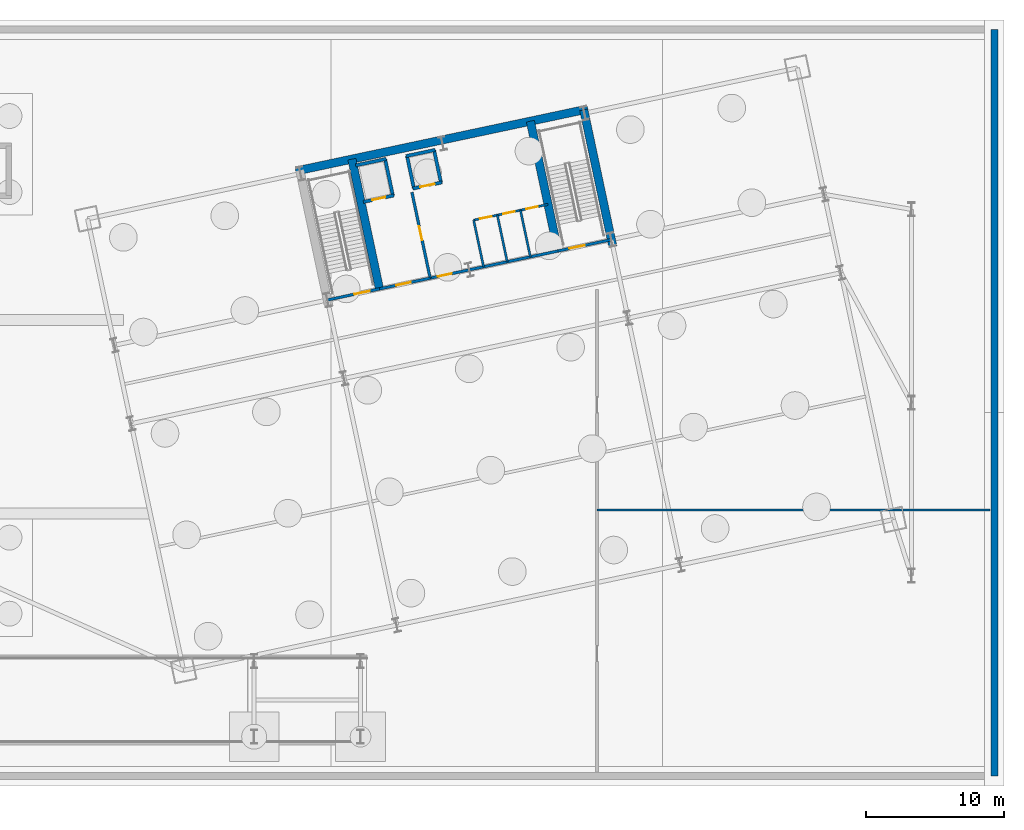
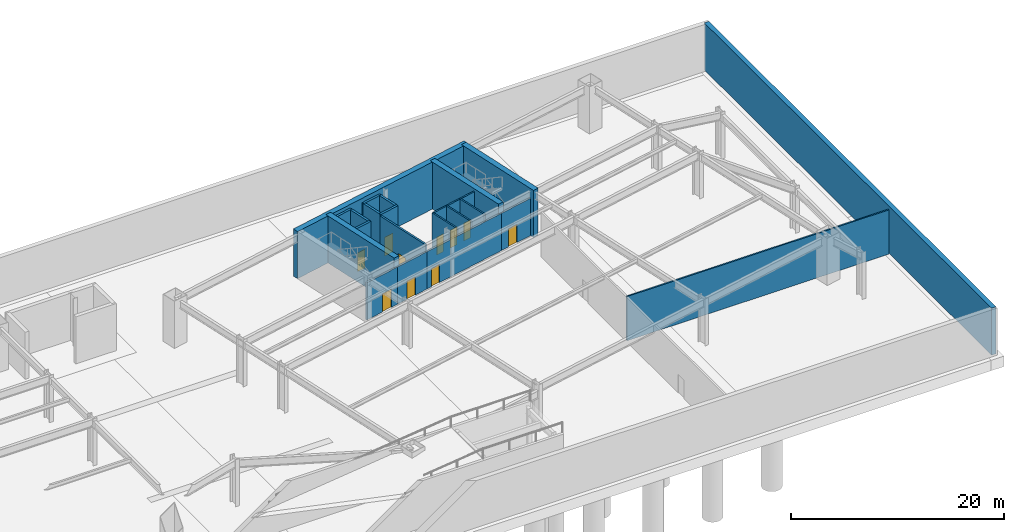
# One storey, part 10 of 15: 22 walls, 10 doors, 10 openings.
"""IFC4 building model written with IfcOpenShell, lengths in metres."""

from ifc_helpers import new_model, si_unit, direction, frame, frame_2d, origin, place, context, subcontext, project, spatial, rectangle, extrude, material, layer, layer_set, type_object, element, fill, save


model = new_model("IFC4")

# Units and contexts
model_context = context("Model", 3, precision=1e-05, world=origin(), true_north=direction((0.0, 1.0)))
body_context = subcontext(model_context, "Body", "Model", "MODEL_VIEW")
ifc_project = project(units=[si_unit("LENGTHUNIT", "METRE"), si_unit("AREAUNIT", "SQUARE_METRE"), si_unit("VOLUMEUNIT", "CUBIC_METRE"), si_unit("PLANEANGLEUNIT", "RADIAN"), si_unit("MASSUNIT", "GRAM", prefix="KILO")], contexts=[model_context])

# Site, building, storey
site_placement = place(None, origin())
site = spatial("IfcSite", under=ifc_project, at=site_placement, CompositionType="ELEMENT")
building_placement = place(site_placement, origin())
building = spatial("IfcBuilding", under=site, at=building_placement, Name="Haevon Station Towers", CompositionType="ELEMENT")
storey_placement = place(building_placement, frame((0.0, 0.0, -10.800048828125)))
storey = spatial("IfcBuildingStorey", under=building, at=storey_placement, Name="B02", CompositionType="ELEMENT", Elevation=-10.800048828125)

# Wall, opening, door
ifc_material_1 = material(Name="Gypsum board on steel stud", Category="steel")
ifc_layer_1 = layer(ifc_material_1, 0.199951171875)
ifc_layer_set_1 = layer_set([ifc_layer_1], Name="Gypsum board on steel stud")
wall_type_1 = type_object("IfcWallType", Name="WL-COR200", PredefinedType="PARTITIONING", material=ifc_layer_set_1)
wall_1_placement = place(storey_placement, frame((98.75244140625, 37.4423828125, 0.0), z_axis=(0.0, 0.0, 1.0), x_axis=(0.978143537786, 0.207930804564, 0.0)))
wall_1 = element("IfcWall", 1, at=wall_1_placement, inside=storey, type_object=wall_type_1, Name="WL-ST-ST3-B02", PredefinedType="PARTITIONING", context=body_context, shape_type="SweptSolid", body=[
    extrude(rectangle(XDim=3.85009765625, YDim=0.199951171875, at=frame_2d((1.925048828125, 0.0))), origin(), (0.0, 0.0, 1.0), 4.280029296875),
])
opening_1_placement = place(wall_1_placement, frame((2.0, 0.0, 0.0)))
opening_1 = element("IfcOpeningElement", 2, at=opening_1_placement, cuts=wall_1, Name="Opening DR-ST-ST3-B02", PredefinedType="OPENING", context=body_context, shape_type="SweptSolid", body=[
    extrude(rectangle(XDim=1.1201171875, YDim=2.10009765625, at=frame_2d((0.56005859375, 1.050048828125))), frame((0.0, 0.10986328125, 0.0), z_axis=(0.0, -1.0, 0.0), x_axis=(1.0, 0.0, 0.0)), (0.0, 0.0, 1.0), 0.219970703125),
])
ifc_material_2 = material(Name="Engineered oak timber", Category="wood")
door_type_1 = type_object("IfcDoorType", Name="DR-ST-1120", OperationType="NOTDEFINED", PredefinedType="DOOR", material=ifc_material_2)
door_1_placement = place(opening_1_placement, origin())
door_1 = element("IfcDoor", 3, at=door_1_placement, inside=storey, type_object=door_type_1, Name="B02 Escape Stair ST3 Fire Door", OperationType="SINGLE_SWING_LEFT", OverallHeight=2.10009765625, OverallWidth=1.1201171875, PredefinedType="DOOR", context=body_context, shape_type="SweptSolid", body=[
    extrude(rectangle(XDim=1.1201171875, YDim=2.10009765625, at=frame_2d((0.56005859375, 1.050048828125))), frame((0.0, 0.02490234375, 0.0), z_axis=(0.0, -1.0, 0.0), x_axis=(1.0, 0.0, 0.0)), (0.0, 0.0, 1.0), 0.050048828125),
])
fill(opening_1, door_1)

wall_2_placement = place(storey_placement, frame((115.4296875, 40.9873046875, 0.0), z_axis=(0.0, 0.0, 1.0), x_axis=(0.978146596989, 0.207916413008, 0.0)))
wall_2 = element("IfcWall", 4, at=wall_2_placement, inside=storey, type_object=wall_type_1, Name="WL-ST-ST4-B02", PredefinedType="PARTITIONING", context=body_context, shape_type="SweptSolid", body=[
    extrude(rectangle(XDim=3.9501953125, YDim=0.199951171875, at=frame_2d((1.97509765625, 0.0))), origin(), (0.0, 0.0, 1.0), 4.280029296875),
])
opening_2_placement = place(wall_2_placement, frame((0.85009765625, 0.0, 0.0)))
opening_2 = element("IfcOpeningElement", 5, at=opening_2_placement, cuts=wall_2, Name="Opening DR-ST-ST4-B02", PredefinedType="OPENING", context=body_context, shape_type="SweptSolid", body=[
    extrude(rectangle(XDim=1.1201171875, YDim=2.10009765625, at=frame_2d((0.56005859375, 1.050048828125))), frame((0.0, 0.10986328125, 0.0), z_axis=(0.0, -1.0, 0.0), x_axis=(1.0, 0.0, 0.0)), (0.0, 0.0, 1.0), 0.219970703125),
])
door_2_placement = place(opening_2_placement, origin())
door_2 = element("IfcDoor", 6, at=door_2_placement, inside=storey, type_object=door_type_1, Name="B02 Escape Stair ST4 Fire Door", OperationType="SINGLE_SWING_RIGHT", OverallHeight=2.10009765625, OverallWidth=1.1201171875, PredefinedType="DOOR", context=body_context, shape_type="SweptSolid", body=[
    extrude(rectangle(XDim=1.1201171875, YDim=2.10009765625, at=frame_2d((0.56005859375, 1.050048828125))), frame((0.0, 0.02490234375, 0.0), z_axis=(0.0, -1.0, 0.0), x_axis=(1.0, 0.0, 0.0)), (0.0, 0.0, 1.0), 0.050048828125),
])
fill(opening_2, door_2)

wall_3_placement = place(storey_placement, frame((106.186279296875, 39.0224609375, 0.0), z_axis=(0.0, 0.0, 1.0), x_axis=(-0.207916691923, 0.978146537703, 0.0)))
wall_3 = element("IfcWall", 7, at=wall_3_placement, inside=storey, type_object=wall_type_1, Name="WL-T2FFL-B02-E", PredefinedType="PARTITIONING", context=body_context, shape_type="SweptSolid", body=[
    extrude(rectangle(XDim=6.35009765625, YDim=0.199951171875, at=frame_2d((3.175048828125, 0.0))), origin(), (0.0, 0.0, 1.0), 5.080078125),
])
opening_3_placement = place(wall_3_placement, frame((2.800048828125, 0.0, 0.0)))
opening_3 = element("IfcOpeningElement", 8, at=opening_3_placement, cuts=wall_3, Name="Opening DR-T2FFL-B02-E", PredefinedType="OPENING", context=body_context, shape_type="SweptSolid", body=[
    extrude(rectangle(XDim=1.050048828125, YDim=2.10009765625, at=frame_2d((0.52490234375, 1.050048828125))), frame((0.0, 0.10986328125, 0.0), z_axis=(0.0, -1.0, 0.0), x_axis=(1.0, 0.0, 0.0)), (0.0, 0.0, 1.0), 0.219970703125),
])
door_type_2 = type_object("IfcDoorType", Name="DR-FD60-1050", OperationType="NOTDEFINED", PredefinedType="DOOR", material=ifc_material_2)
door_3_placement = place(opening_3_placement, origin())
door_3 = element("IfcDoor", 9, at=door_3_placement, inside=storey, type_object=door_type_2, Name="B02 Tower 2 Firefighting Lift Lobby Door E", OperationType="SINGLE_SWING_LEFT", OverallHeight=2.10009765625, OverallWidth=1.050048828125, PredefinedType="DOOR", context=body_context, shape_type="SweptSolid", body=[
    extrude(rectangle(XDim=1.050048828125, YDim=2.10009765625, at=frame_2d((0.52490234375, 1.050048828125))), frame((0.0, 0.02490234375, 0.0), z_axis=(0.0, -1.0, 0.0), x_axis=(1.0, 0.0, 0.0)), (0.0, 0.0, 1.0), 0.050048828125),
])
fill(opening_3, door_3)

wall_4_placement = place(storey_placement, frame((102.518310546875, 38.242919921875, 0.0), z_axis=(0.0, 0.0, 1.0), x_axis=(0.978153555683, 0.20788367301, 0.0)))
wall_4 = element("IfcWall", 10, at=wall_4_placement, inside=storey, type_object=wall_type_1, Name="WL-T2FFL-B02-S", PredefinedType="PARTITIONING", context=body_context, shape_type="SweptSolid", body=[
    extrude(rectangle(XDim=3.75, YDim=0.199951171875, at=frame_2d((1.875, 0.0))), origin(), (0.0, 0.0, 1.0), 4.280029296875),
])
opening_4_placement = place(wall_4_placement, frame((1.25, 0.0, 0.0)))
opening_4 = element("IfcOpeningElement", 11, at=opening_4_placement, cuts=wall_4, Name="Opening DR-T2FFL-B02-S", PredefinedType="OPENING", context=body_context, shape_type="SweptSolid", body=[
    extrude(rectangle(XDim=1.050048828125, YDim=2.10009765625, at=frame_2d((0.52490234375, 1.050048828125))), frame((0.0, 0.10986328125, 0.0), z_axis=(0.0, -1.0, 0.0), x_axis=(1.0, 0.0, 0.0)), (0.0, 0.0, 1.0), 0.219970703125),
])
door_4_placement = place(opening_4_placement, origin())
door_4 = element("IfcDoor", 12, at=door_4_placement, inside=storey, type_object=door_type_2, Name="B02 Tower 2 Firefighting Lift Lobby Door S", OperationType="SINGLE_SWING_RIGHT", OverallHeight=2.10009765625, OverallWidth=1.050048828125, PredefinedType="DOOR", context=body_context, shape_type="SweptSolid", body=[
    extrude(rectangle(XDim=1.050048828125, YDim=2.10009765625, at=frame_2d((0.52490234375, 1.050048828125))), frame((0.0, 0.02490234375, 0.0), z_axis=(0.0, -1.0, 0.0), x_axis=(1.0, 0.0, 0.0)), (0.0, 0.0, 1.0), 0.050048828125),
])
fill(opening_4, door_4)

wall_5_placement = place(storey_placement, frame((106.186279296875, 39.0224609375, 0.0), z_axis=(0.0, 0.0, 1.0), x_axis=(0.978145519981, 0.20792147975, 0.0)))
wall_5 = element("IfcWall", 13, at=wall_5_placement, inside=storey, type_object=wall_type_1, Name="WL-T2CLB-B02", PredefinedType="PARTITIONING", context=body_context, shape_type="SweptSolid", body=[
    extrude(rectangle(XDim=9.449951171875, YDim=0.199951171875, at=frame_2d((4.72509765625, 0.0))), origin(), (0.0, 0.0, 1.0), 4.280029296875),
])
opening_5_placement = place(wall_5_placement, frame((0.550048828125, 0.0, 0.0)))
opening_5 = element("IfcOpeningElement", 14, at=opening_5_placement, cuts=wall_5, Name="Opening DR-T2CLB-B02-1", PredefinedType="OPENING", context=body_context, shape_type="SweptSolid", body=[
    extrude(rectangle(XDim=1.050048828125, YDim=2.10009765625, at=frame_2d((0.52490234375, 1.050048828125))), frame((0.0, 0.10986328125, 0.0), z_axis=(0.0, -1.0, 0.0), x_axis=(1.0, 0.0, 0.0)), (0.0, 0.0, 1.0), 0.219970703125),
])
door_5_placement = place(opening_5_placement, origin())
door_5 = element("IfcDoor", 15, at=door_5_placement, inside=storey, type_object=door_type_2, Name="B02 Tower 2 Core Lift Lobby Door 1", OperationType="SINGLE_SWING_LEFT", OverallHeight=2.10009765625, OverallWidth=1.050048828125, PredefinedType="DOOR", context=body_context, shape_type="SweptSolid", body=[
    extrude(rectangle(XDim=1.050048828125, YDim=2.10009765625, at=frame_2d((0.52490234375, 1.050048828125))), frame((0.0, 0.02490234375, 0.0), z_axis=(0.0, -1.0, 0.0), x_axis=(1.0, 0.0, 0.0)), (0.0, 0.0, 1.0), 0.050048828125),
])
fill(opening_5, door_5)

# Walls
ifc_material_3 = material(Name="Concrete C60/75", Category="concrete")
ifc_layer_2 = layer(ifc_material_3, 0.60009765625)
ifc_layer_set_2 = layer_set([ifc_layer_2], Name="Concrete C60/75")
wall_type_2 = type_object("IfcWallType", Name="WL-CR600", PredefinedType="SHEAR", material=ifc_layer_set_2)
wall_6_placement = place(storey_placement, frame((96.462890625, 46.770263671875, 0.0), z_axis=(0.0, 0.0, 1.0), x_axis=(0.978147272959, 0.207913232873, 0.0)))
element("IfcWall", 16, at=wall_6_placement, inside=storey, type_object=wall_type_2, Name="WL-T2CR-B02-N", PredefinedType="SHEAR", context=body_context, shape_type="SweptSolid", body=[
    extrude(rectangle(XDim=21.60009765625, YDim=0.60009765625, at=frame_2d((10.800048828125, 0.0))), origin(), (0.0, 0.0, 1.0), 5.400146484375),
])
wall_7_placement = place(storey_placement, frame((119.401611328125, 41.2998046875, 0.0), z_axis=(0.0, 0.0, 1.0), x_axis=(-0.207904342798, 0.978149162575, 0.0)))
element("IfcWall", 17, at=wall_7_placement, inside=storey, type_object=wall_type_2, Name="WL-T2CR-B02-E", PredefinedType="SHEAR", context=body_context, shape_type="SweptSolid", body=[
    extrude(rectangle(XDim=10.1201171875, YDim=0.60009765625, at=frame_2d((5.06005859375, 0.0))), origin(), (0.0, 0.0, 1.0), 5.400146484375),
])
for number, where, z_axis, x_axis, name in (
    (18, (102.518310546875, 38.242919921875, 0.0), (0.0, 0.0, 1.0), (-0.207927495108, 0.978144241295, 0.0), "WL-T2CR-B02-M1"),
    (19, (115.4296875, 40.9873046875, 0.0), (0.0, 0.0, 1.0), (-0.207903162969, 0.978149413345, 0.0), "WL-T2CR-B02-M2"),
):
    element("IfcWall", number, at=place(storey_placement, frame(where, z_axis=z_axis, x_axis=x_axis)), inside=storey, type_object=wall_type_2, Name=name, PredefinedType="SHEAR", context=body_context, shape_type="SweptSolid", body=[
        extrude(rectangle(XDim=9.599853515625, YDim=0.60009765625, at=frame_2d((4.7998046875, 0.0))), origin(), (0.0, 0.0, 1.0), 5.400146484375),
    ])
ifc_layer_3 = layer(ifc_material_1, 0.159912109375)
ifc_layer_set_3 = layer_set([ifc_layer_3], Name="Gypsum board on steel stud")
wall_type_3 = type_object("IfcWallType", Name="WL-PRT160", PredefinedType="PARTITIONING", material=ifc_layer_set_3)
wall_8_placement = place(storey_placement, frame((118.25, 22.25, 0.0), z_axis=(0.0, 0.0, 1.0), x_axis=(1.0, 0.0, 0.0)))
element("IfcWall", 20, at=wall_8_placement, inside=storey, type_object=wall_type_3, Name="WL-B02-PLT2", PredefinedType="PARTITIONING", context=body_context, shape_type="SweptSolid", body=[
    extrude(rectangle(XDim=28.449951171875, YDim=0.159912109375, at=frame_2d((14.22509765625, 0.0))), origin(), (0.0, 0.0, 1.0), 5.080078125),
])
for number, where, z_axis, x_axis, name in (
    (21, (110.050048828125, 39.84375, 0.0), (0.0, 0.0, 1.0), (-0.207900225061, 0.978150037785, 0.0), "WL-T2CW-B02-01"),
    (22, (111.76171875, 40.20751953125, 0.0), (0.0, 0.0, 1.0), (-0.207900225061, 0.978150037785, 0.0), "WL-T2CW-B02-02"),
):
    element("IfcWall", number, at=place(storey_placement, frame(where, z_axis=z_axis, x_axis=x_axis)), inside=storey, type_object=wall_type_3, Name=name, PredefinedType="PARTITIONING", context=body_context, shape_type="SweptSolid", body=[
        extrude(rectangle(XDim=3.4501953125, YDim=0.159912109375, at=frame_2d((1.72509765625, 0.0))), origin(), (0.0, 0.0, 1.0), 5.080078125),
    ])
wall_9_placement = place(storey_placement, frame((113.434326171875, 40.563232421875, 0.0), z_axis=(0.0, 0.0, 1.0), x_axis=(-0.207914616127, 0.978146978935, 0.0)))
element("IfcWall", 23, at=wall_9_placement, inside=storey, type_object=wall_type_3, Name="WL-T2CW-B02-03", PredefinedType="PARTITIONING", context=body_context, shape_type="SweptSolid", body=[
    extrude(rectangle(XDim=3.449951171875, YDim=0.159912109375, at=frame_2d((1.72509765625, 0.0))), origin(), (0.0, 0.0, 1.0), 5.080078125),
])

# Wall, openings, doors
wall_10_placement = place(storey_placement, frame((109.332763671875, 43.218505859375, 0.0), z_axis=(0.0, 0.0, 1.0), x_axis=(0.978153773776, 0.207882646816, 0.0)))
wall_10 = element("IfcWall", 24, at=wall_10_placement, inside=storey, type_object=wall_type_3, Name="WL-T2CW-B02-04", PredefinedType="PARTITIONING", context=body_context, shape_type="SweptSolid", body=[
    extrude(rectangle(XDim=5.499755859375, YDim=0.159912109375, at=frame_2d((2.75, 0.0))), origin(), (0.0, 0.0, 1.0), 5.080078125),
])
opening_6_placement = place(wall_10_placement, frame((0.469970703125, 0.0, 0.0)))
opening_6 = element("IfcOpeningElement", 25, at=opening_6_placement, cuts=wall_10, Name="Opening DR-WL-T2CW-B02-04-1", PredefinedType="OPENING", context=body_context, shape_type="SweptSolid", body=[
    extrude(rectangle(XDim=0.85009765625, YDim=2.050048828125, at=frame_2d((0.425048828125, 1.02490234375))), frame((0.0, 0.08984375, 0.0), z_axis=(0.0, -1.0, 0.0), x_axis=(1.0, 0.0, 0.0)), (0.0, 0.0, 1.0), 0.179931640625),
])
opening_7_placement = place(wall_10_placement, frame((2.179931640625, 0.0, 0.0)))
opening_7 = element("IfcOpeningElement", 26, at=opening_7_placement, cuts=wall_10, Name="Opening DR-WL-T2CW-B02-04-2", PredefinedType="OPENING", context=body_context, shape_type="SweptSolid", body=[
    extrude(rectangle(XDim=0.85009765625, YDim=2.050048828125, at=frame_2d((0.425048828125, 1.02490234375))), frame((0.0, 0.08984375, 0.0), z_axis=(0.0, -1.0, 0.0), x_axis=(1.0, 0.0, 0.0)), (0.0, 0.0, 1.0), 0.179931640625),
])
opening_8_placement = place(wall_10_placement, frame((3.89501953125, 0.0, 0.0)))
opening_8 = element("IfcOpeningElement", 27, at=opening_8_placement, cuts=wall_10, Name="Opening DR-WL-T2CW-B02-04-3", PredefinedType="OPENING", context=body_context, shape_type="SweptSolid", body=[
    extrude(rectangle(XDim=0.85009765625, YDim=2.050048828125, at=frame_2d((0.425048828125, 1.02490234375))), frame((0.0, 0.08984375, 0.0), z_axis=(0.0, -1.0, 0.0), x_axis=(1.0, 0.0, 0.0)), (0.0, 0.0, 1.0), 0.179931640625),
])
door_type_3 = type_object("IfcDoorType", Name="DR-FD30-850", OperationType="NOTDEFINED", PredefinedType="DOOR", material=ifc_material_2)
door_6_placement = place(opening_6_placement, origin())
door_6 = element("IfcDoor", 28, at=door_6_placement, inside=storey, type_object=door_type_3, Name="B02 Tower 2 Core Room Door 4-1", OperationType="SINGLE_SWING_LEFT", OverallHeight=2.050048828125, OverallWidth=0.85009765625, PredefinedType="DOOR", context=body_context, shape_type="SweptSolid", body=[
    extrude(rectangle(XDim=0.85009765625, YDim=2.050048828125, at=frame_2d((0.425048828125, 1.02490234375))), frame((0.0, 0.02490234375, 0.0), z_axis=(0.0, -1.0, 0.0), x_axis=(1.0, 0.0, 0.0)), (0.0, 0.0, 1.0), 0.050048828125),
])
fill(opening_6, door_6)
door_7_placement = place(opening_7_placement, origin())
door_7 = element("IfcDoor", 29, at=door_7_placement, inside=storey, type_object=door_type_3, Name="B02 Tower 2 Core Room Door 4-2", OperationType="SINGLE_SWING_RIGHT", OverallHeight=2.050048828125, OverallWidth=0.85009765625, PredefinedType="DOOR", context=body_context, shape_type="SweptSolid", body=[
    extrude(rectangle(XDim=0.85009765625, YDim=2.050048828125, at=frame_2d((0.425048828125, 1.02490234375))), frame((0.0, 0.02490234375, 0.0), z_axis=(0.0, -1.0, 0.0), x_axis=(1.0, 0.0, 0.0)), (0.0, 0.0, 1.0), 0.050048828125),
])
fill(opening_7, door_7)
door_8_placement = place(opening_8_placement, origin())
door_8 = element("IfcDoor", 30, at=door_8_placement, inside=storey, type_object=door_type_3, Name="B02 Tower 2 Core Room Door 4-3", OperationType="SINGLE_SWING_LEFT", OverallHeight=2.050048828125, OverallWidth=0.85009765625, PredefinedType="DOOR", context=body_context, shape_type="SweptSolid", body=[
    extrude(rectangle(XDim=0.85009765625, YDim=2.050048828125, at=frame_2d((0.425048828125, 1.02490234375))), frame((0.0, 0.02490234375, 0.0), z_axis=(0.0, -1.0, 0.0), x_axis=(1.0, 0.0, 0.0)), (0.0, 0.0, 1.0), 0.050048828125),
])
fill(opening_8, door_8)

# Wall
ifc_material_4 = material(Name="Concrete C50/60", Category="concrete")
ifc_layer_4 = layer(ifc_material_4, 0.5)
ifc_layer_set_4 = layer_set([ifc_layer_4], Name="Concrete C50/60")
wall_type_4 = type_object("IfcWallType", Name="WL-RET500", PredefinedType="SOLIDWALL", material=ifc_layer_set_4)
wall_11_placement = place(storey_placement, frame((147.0, 3.0, 0.0), z_axis=(0.0, 0.0, 1.0), x_axis=(0.0, 1.0, 0.0)))
element("IfcWall", 31, at=wall_11_placement, inside=storey, type_object=wall_type_4, Name="WL-RET-B02-E", PredefinedType="SOLIDWALL", context=body_context, shape_type="SweptSolid", body=[
    extrude(rectangle(XDim=54.0, YDim=0.5, at=frame_2d((27.0, 0.0))), origin(), (0.0, 0.0, 1.0), 5.400146484375),
])

# Wall, opening, door
ifc_material_5 = material(Name="Concrete C40/50", Category="concrete")
ifc_layer_5 = layer(ifc_material_5, 0.239990234375)
ifc_layer_set_5 = layer_set([ifc_layer_5], Name="Concrete C40/50")
wall_type_5 = type_object("IfcWallType", Name="WL-SHF240", PredefinedType="PARTITIONING", material=ifc_layer_set_5)
wall_12_placement = place(storey_placement, frame((101.353759765625, 44.538330078125, 0.0), z_axis=(0.0, 0.0, 1.0), x_axis=(0.978141002414, 0.207942731049, 0.0)))
wall_12 = element("IfcWall", 32, at=wall_12_placement, inside=storey, type_object=wall_type_5, Name="WL-SHF-FL2-B02", PredefinedType="PARTITIONING", context=body_context, shape_type="SweptSolid", body=[
    extrude(rectangle(XDim=2.260009765625, YDim=0.239990234375, at=frame_2d((1.1298828125, 0.0))), origin(), (0.0, 0.0, 1.0), 5.080078125),
])
opening_9_placement = place(wall_12_placement, frame((0.655029296875, 0.0, 0.0)))
opening_9 = element("IfcOpeningElement", 33, at=opening_9_placement, cuts=wall_12, Name="Opening LD-FL2-B02", PredefinedType="OPENING", context=body_context, shape_type="SweptSolid", body=[
    extrude(rectangle(XDim=0.949951171875, YDim=2.14990234375, at=frame_2d((0.47509765625, 1.074951171875))), frame((0.0, 0.1298828125, 0.0), z_axis=(0.0, -1.0, 0.0), x_axis=(1.0, 0.0, 0.0)), (0.0, 0.0, 1.0), 0.260009765625),
])
ifc_material_6 = material(Name="Stainless steel and rated core", Category="steel")
door_type_4 = type_object("IfcDoorType", Name="LD-FL950", OperationType="SLIDING_TO_LEFT", PredefinedType="DOOR", material=ifc_material_6)
door_9_placement = place(opening_9_placement, origin())
door_9 = element("IfcDoor", 34, at=door_9_placement, inside=storey, type_object=door_type_4, Name="B02 Lift FL2 Sliding Landing Door", OperationType="SLIDING_TO_LEFT", OverallHeight=2.14990234375, OverallWidth=0.949951171875, PredefinedType="DOOR", context=body_context, shape_type="SweptSolid", body=[
    extrude(rectangle(XDim=0.949951171875, YDim=2.14990234375, at=frame_2d((0.47509765625, 1.074951171875))), frame((0.0, 0.02490234375, 0.0), z_axis=(0.0, -1.0, 0.0), x_axis=(1.0, 0.0, 0.0)), (0.0, 0.0, 1.0), 0.050048828125),
])
fill(opening_9, door_9)

# Walls
wall_13_placement = place(storey_placement, frame((100.79248046875, 47.179443359375, 0.0), z_axis=(0.0, 0.0, 1.0), x_axis=(0.978162968872, 0.207839376268, 0.0)))
element("IfcWall", 35, at=wall_13_placement, inside=storey, type_object=wall_type_5, Name="WL-SHF-FL2-B02-N", PredefinedType="PARTITIONING", context=body_context, shape_type="SweptSolid", body=[
    extrude(rectangle(XDim=2.260009765625, YDim=0.239990234375, at=frame_2d((1.1298828125, 0.0))), origin(), (0.0, 0.0, 1.0), 5.080078125),
])
wall_14_placement = place(storey_placement, frame((103.486328125, 44.99169921875, 0.0), z_axis=(0.0, 0.0, 1.0), x_axis=(-0.207978798957, 0.978133334052, 0.0)))
element("IfcWall", 36, at=wall_14_placement, inside=storey, type_object=wall_type_5, Name="WL-SHF-FL2-B02-E", PredefinedType="PARTITIONING", context=body_context, shape_type="SweptSolid", body=[
    extrude(rectangle(XDim=2.699951171875, YDim=0.239990234375, at=frame_2d((1.35009765625, 0.0))), origin(), (0.0, 0.0, 1.0), 5.080078125),
])

# Wall, opening, door
wall_15_placement = place(storey_placement, frame((104.931396484375, 45.503173828125, 0.0), z_axis=(0.0, 0.0, 1.0), x_axis=(0.97813528961, 0.207969601673, 0.0)))
wall_15 = element("IfcWall", 37, at=wall_15_placement, inside=storey, type_object=wall_type_5, Name="WL-SHF-PL7-B02", PredefinedType="PARTITIONING", context=body_context, shape_type="SweptSolid", body=[
    extrude(rectangle(XDim=2.159912109375, YDim=0.239990234375, at=frame_2d((1.080078125, 0.0))), origin(), (0.0, 0.0, 1.0), 5.080078125),
])
opening_10_placement = place(wall_15_placement, frame((0.554931640625, 0.0, 0.0)))
opening_10 = element("IfcOpeningElement", 38, at=opening_10_placement, cuts=wall_15, Name="Opening LD-PL7-B02", PredefinedType="OPENING", context=body_context, shape_type="SweptSolid", body=[
    extrude(rectangle(XDim=1.050048828125, YDim=2.14990234375, at=frame_2d((0.52490234375, 1.074951171875))), frame((0.0, 0.1298828125, 0.0), z_axis=(0.0, -1.0, 0.0), x_axis=(1.0, 0.0, 0.0)), (0.0, 0.0, 1.0), 0.260009765625),
])
door_type_5 = type_object("IfcDoorType", Name="LD-PL1050", OperationType="SLIDING_TO_LEFT", PredefinedType="DOOR", material=ifc_material_6)
door_10_placement = place(opening_10_placement, origin())
door_10 = element("IfcDoor", 39, at=door_10_placement, inside=storey, type_object=door_type_5, Name="B02 Lift PL7 Sliding Landing Door", OperationType="SLIDING_TO_LEFT", OverallHeight=2.14990234375, OverallWidth=1.050048828125, PredefinedType="DOOR", context=body_context, shape_type="SweptSolid", body=[
    extrude(rectangle(XDim=1.050048828125, YDim=2.14990234375, at=frame_2d((0.52490234375, 1.074951171875))), frame((0.0, 0.02490234375, 0.0), z_axis=(0.0, -1.0, 0.0), x_axis=(1.0, 0.0, 0.0)), (0.0, 0.0, 1.0), 0.050048828125),
])
fill(opening_10, door_10)

# Walls
wall_16_placement = place(storey_placement, frame((104.432373046875, 47.850830078125, 0.0), z_axis=(0.0, 0.0, 1.0), x_axis=(0.978158276388, 0.207861459473, 0.0)))
element("IfcWall", 40, at=wall_16_placement, inside=storey, type_object=wall_type_5, Name="WL-SHF-PL7-B02-N", PredefinedType="PARTITIONING", context=body_context, shape_type="SweptSolid", body=[
    extrude(rectangle(XDim=2.159912109375, YDim=0.239990234375, at=frame_2d((1.080078125, 0.0))), origin(), (0.0, 0.0, 1.0), 5.080078125),
])
wall_17_placement = place(storey_placement, frame((105.009765625, 45.519775390625, 0.0), z_axis=(0.0, 0.0, 1.0), x_axis=(-0.207917150959, 0.978146440129, 0.0)))
element("IfcWall", 41, at=wall_17_placement, inside=storey, type_object=wall_type_5, Name="WL-SHF-PL7-B02-W", PredefinedType="PARTITIONING", context=body_context, shape_type="SweptSolid", body=[
    extrude(rectangle(XDim=2.400146484375, YDim=0.239990234375, at=frame_2d((1.2001953125, 0.0))), origin(), (0.0, 0.0, 1.0), 5.080078125),
])
wall_18_placement = place(storey_placement, frame((106.966064453125, 45.935791015625, 0.0), z_axis=(0.0, 0.0, 1.0), x_axis=(-0.207937840262, 0.978142042133, 0.0)))
element("IfcWall", 42, at=wall_18_placement, inside=storey, type_object=wall_type_5, Name="WL-SHF-PL7-B02-E", PredefinedType="PARTITIONING", context=body_context, shape_type="SweptSolid", body=[
    extrude(rectangle(XDim=2.39990234375, YDim=0.239990234375, at=frame_2d((1.199951171875, 0.0))), origin(), (0.0, 0.0, 1.0), 5.080078125),
])

save(model, "model.ifc")
